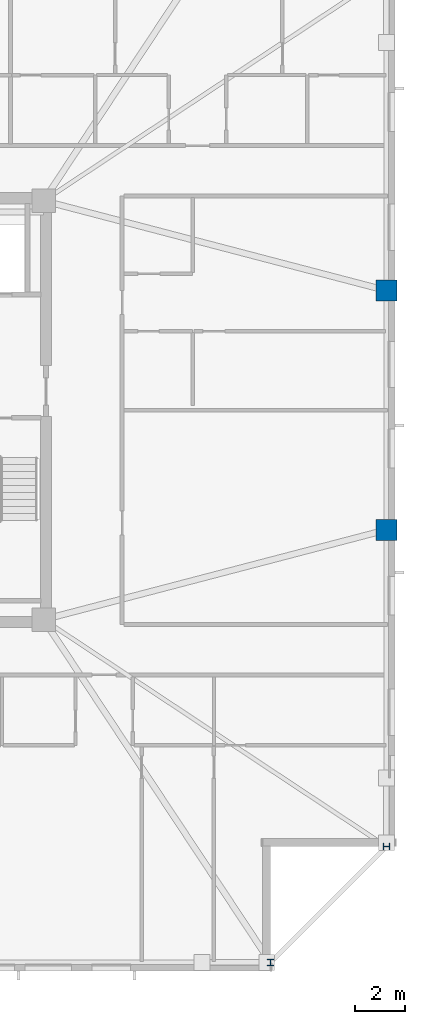
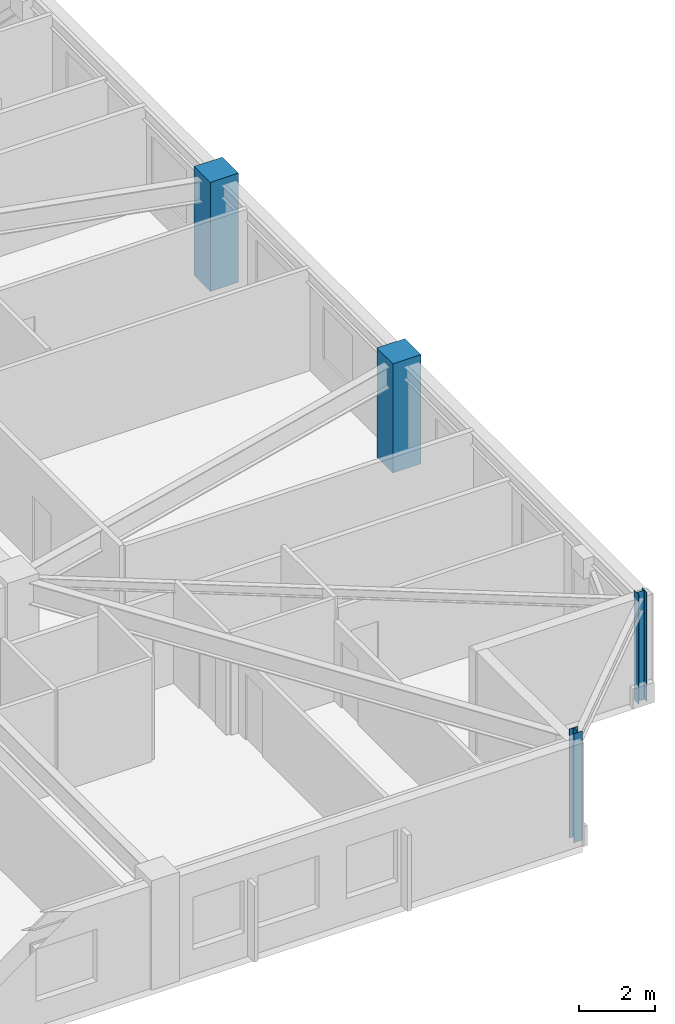
# One storey, part 3 of 17: 4 columns.
"""IFC4 building model written with IfcOpenShell, lengths in metres."""

from ifc_helpers import new_model, si_unit, direction, frame, origin, origin_2d, place, context, subcontext, project, spatial, rectangle, i_section, extrude, material, material_profile, profile_set, type_object, element, save


model = new_model("IFC4")

# Units and contexts
model_context = context("Model", 3, precision=1e-05, world=origin(), true_north=direction((0.0, 1.0)))
body_context = subcontext(model_context, "Body", "Model", "MODEL_VIEW")
ifc_project = project(units=[si_unit("LENGTHUNIT", "METRE"), si_unit("AREAUNIT", "SQUARE_METRE"), si_unit("VOLUMEUNIT", "CUBIC_METRE"), si_unit("PLANEANGLEUNIT", "RADIAN"), si_unit("MASSUNIT", "GRAM", prefix="KILO")], contexts=[model_context])

# Site, building, storey
site_placement = place(None, origin())
site = spatial("IfcSite", under=ifc_project, at=site_placement, CompositionType="ELEMENT")
building_placement = place(site_placement, origin())
building = spatial("IfcBuilding", under=site, at=building_placement, Name="Cairnveth Concourse Tower", CompositionType="ELEMENT")
storey_placement = place(building_placement, frame((0.0, 0.0, 227.0)))
storey = spatial("IfcBuildingStorey", under=building, at=storey_placement, Name="L62", CompositionType="ELEMENT", Elevation=227.0)

# Columns
ifc_material_1 = material(Name="Concrete N65 (65 MPa)", Category="concrete")
ifc_material_profile_1 = material_profile(ifc_material_1, rectangle(XDim=0.85009765625, YDim=0.85009765625, at=origin_2d()), Name="RC-COL-850x850")
ifc_profile_set_1 = profile_set([ifc_material_profile_1], Name="Concrete N65 (65 MPa)")
column_type_1 = type_object("IfcColumnType", Name="PERIMETER PIER COLUMN 850X850", PredefinedType="COLUMN", material=ifc_profile_set_1)
for number, where, z_axis, x_axis, name in (
    (1, (74.14990234375, 34.199951171875, 0.0), (0.0, 0.0, 1.0), (0.0, 1.0, 0.0), "Column P-E2 L62"),
    (2, (74.14990234375, 43.800048828125, 0.0), (0.0, 0.0, 1.0), (0.0, 1.0, 0.0), "Column P-E3 L62"),
):
    element("IfcColumn", number, at=place(storey_placement, frame(where, z_axis=z_axis, x_axis=x_axis)), inside=storey, type_object=column_type_1, Name=name, PredefinedType="COLUMN", context=body_context, shape_type="SweptSolid", body=[
        extrude(rectangle(XDim=0.85009765625, YDim=0.85009765625, at=origin_2d()), origin(), (0.0, 0.0, 1.0), 3.5),
    ])
ifc_material_2 = material(Name="Steel Grade 350", Category="steel")
ifc_material_profile_2 = material_profile(ifc_material_2, i_section(OverallWidth=0.256103515625, OverallDepth=0.260009765625, WebThickness=0.010498046875, FlangeThickness=0.017333984375, FilletRadius=0.012939453125, at=origin_2d()), Name="250UC89.5")
ifc_profile_set_2 = profile_set([ifc_material_profile_2], Name="Steel Grade 350")
column_type_2 = type_object("IfcColumnType", Name="UNIVERSAL STEEL COLUMN 250UC89.5", PredefinedType="COLUMN", material=ifc_profile_set_2)
for number, where, z_axis, x_axis, name in (
    (3, (69.5, 16.85009765625, 0.0), (0.0, 0.0, 1.0), (1.0, 0.0, 0.0), "Column P-S4 L62"),
    (4, (74.14990234375, 21.5, 0.0), (0.0, 0.0, 1.0), (0.0, 1.0, 0.0), "Column P-E1 L62"),
):
    element("IfcColumn", number, at=place(storey_placement, frame(where, z_axis=z_axis, x_axis=x_axis)), inside=storey, type_object=column_type_2, Name=name, PredefinedType="COLUMN", context=body_context, shape_type="SweptSolid", body=[
        extrude(i_section(OverallWidth=0.256103515625, OverallDepth=0.260009765625, WebThickness=0.010498046875, FlangeThickness=0.017333984375, FilletRadius=0.012939453125, at=origin_2d()), origin(), (0.0, 0.0, 1.0), 3.5),
    ])

save(model, "model.ifc")
